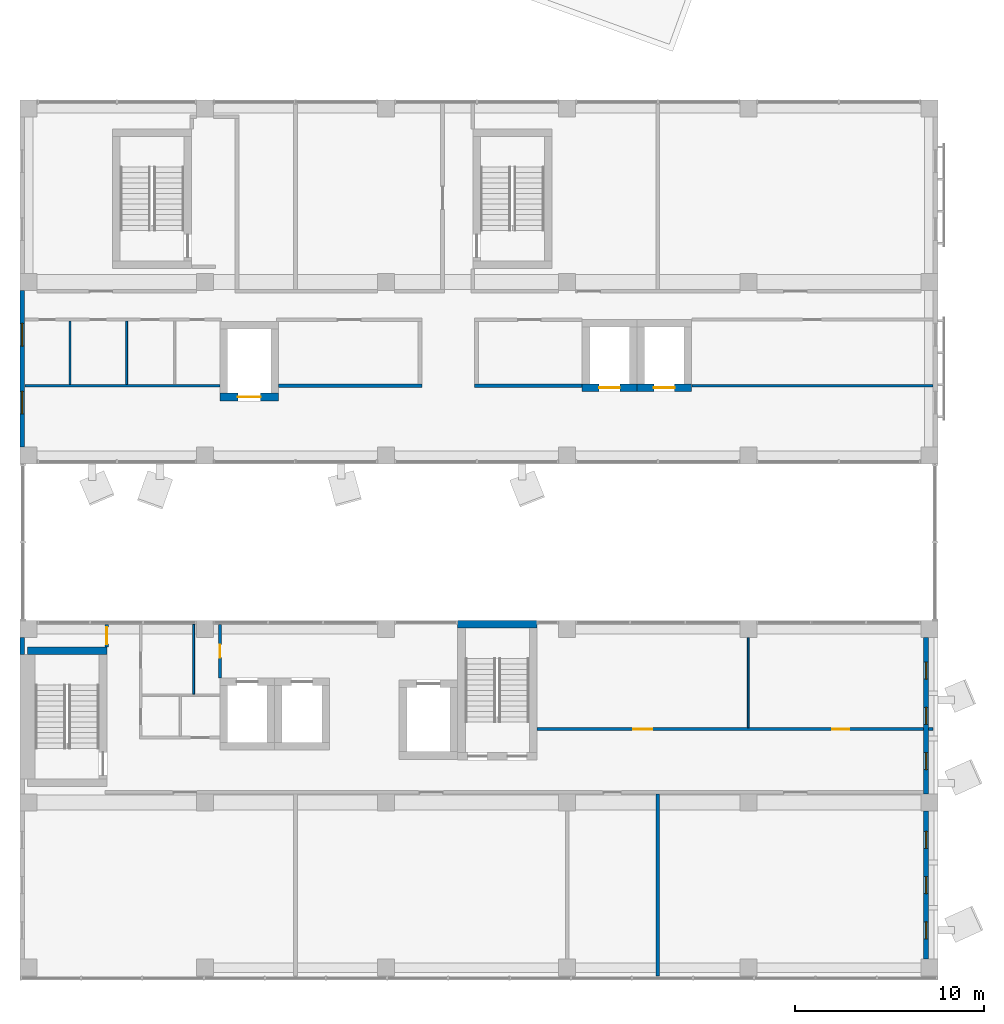
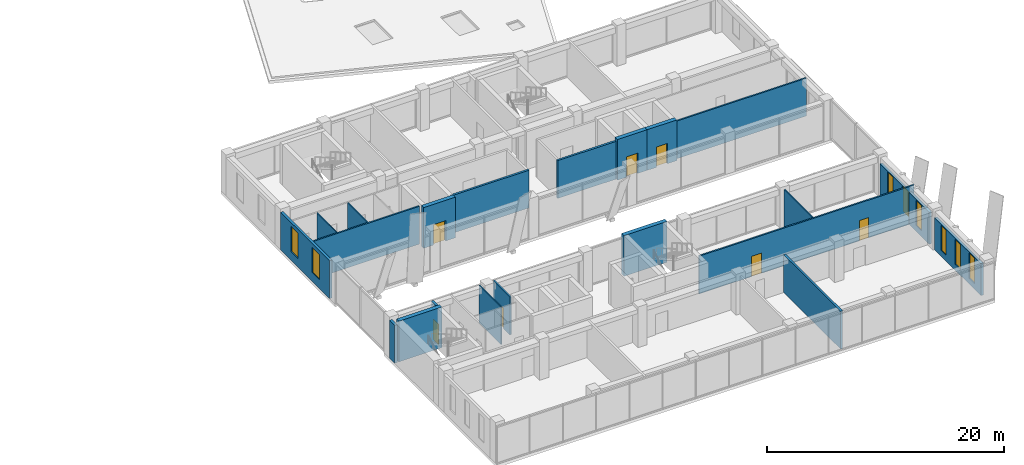
# One storey, part 27 of 36: 21 walls, 8 windows, 7 doors, 15 openings.
"""IFC4 building model written with IfcOpenShell, lengths in metres."""

import ifcopenshell
import ifcopenshell.guid

model = None  # the IFC model being written
_history = None  # IfcOwnerHistory: only IFC2X3 demands one
_inside = {}  # id of a spatial element -> (the spatial element, [elements in it])
_under = {}  # id of a project, library or spatial element -> (it, [spatial elements below it])
_declared = {}  # id of a project -> (the project, [libraries it declares])
_typed = {}  # id of a type object -> (the type object, [elements of that type])
_made_of = {}  # id of a material, layer set ... -> (it, [elements and type objects made of it])


def new_model(schema):
    """Start an empty IFC model of exactly this schema.

    Asked for "IFC4X3", IfcOpenShell would pick the latest addendum, in which some entities
    have other attributes; the version numbers below select the first issue.
    IFC2X3 requires an IfcOwnerHistory on every rooted entity: one is made here for all.
    """
    global model, _history
    if schema == "IFC4X3":
        model = ifcopenshell.file(schema_version=(4, 3, 0, 0))
    else:
        model = ifcopenshell.file(schema=schema)
    _inside.clear()
    _under.clear()
    _declared.clear()
    _typed.clear()
    _made_of.clear()
    _history = None
    if model.schema == "IFC2X3":
        org = make("IfcOrganization", Name="unknown")
        user = make(
            "IfcPersonAndOrganization",
            ThePerson=make("IfcPerson", FamilyName="unknown"),
            TheOrganization=org,
        )
        app = make(
            "IfcApplication",
            ApplicationDeveloper=org,
            Version="unknown",
            ApplicationFullName="unknown",
            ApplicationIdentifier="unknown",
        )
        _history = make(
            "IfcOwnerHistory",
            OwningUser=user,
            OwningApplication=app,
            ChangeAction="ADDED",
            CreationDate=0,
        )
    return model


def make(cls, **values):
    """One entity of the class cls with the attributes given. An attribute that is None is left unset."""
    return model.create_entity(
        cls, **{name: value for name, value in values.items() if value is not None}
    )


def rooted(cls, **values):
    """An entity with a GlobalId (a new one), such as an element, a storey or a relation."""
    return make(cls, GlobalId=ifcopenshell.guid.new(), OwnerHistory=_history, **values)


def si_unit(unit_type, name, prefix=None):
    """IfcSIUnit, for example si_unit("LENGTHUNIT", "METRE", prefix="MILLI")."""
    return make("IfcSIUnit", UnitType=unit_type, Prefix=prefix, Name=name)


def assignment(units):
    """IfcUnitAssignment: the units of a project."""
    return None if units is None else make("IfcUnitAssignment", Units=units)


def point(xyz):
    """IfcCartesianPoint."""
    return None if xyz is None else make("IfcCartesianPoint", Coordinates=xyz)


def direction(xyz):
    """IfcDirection."""
    return None if xyz is None else make("IfcDirection", DirectionRatios=xyz)


def frame(location, z_axis=None, x_axis=None):
    """IfcAxis2Placement3D, a coordinate frame: its origin and axes. An axis left out is left unset."""
    return make(
        "IfcAxis2Placement3D",
        Location=point(location),
        Axis=direction(z_axis),
        RefDirection=direction(x_axis),
    )


def frame_2d(location, x_axis=None):
    """IfcAxis2Placement2D, a coordinate frame in the plane: its origin and x axis."""
    return make(
        "IfcAxis2Placement2D", Location=point(location), RefDirection=direction(x_axis)
    )


def origin():
    """The frame at (0, 0, 0) with its axes left unset."""
    return frame((0.0, 0.0, 0.0))


def place(relative_to, where):
    """IfcLocalPlacement: puts the frame where relative to a parent placement (None: the world)."""
    return make(
        "IfcLocalPlacement", PlacementRelTo=relative_to, RelativePlacement=where
    )


def context(
    kind, dimensions, precision=None, world=None, true_north=None, identifier=None
):
    """IfcGeometricRepresentationContext, for example the 3D "Model" context."""
    return make(
        "IfcGeometricRepresentationContext",
        ContextIdentifier=identifier,
        ContextType=kind,
        CoordinateSpaceDimension=dimensions,
        Precision=precision,
        WorldCoordinateSystem=world,
        TrueNorth=true_north,
    )


def subcontext(parent, identifier, kind, view, scale=None):
    """IfcGeometricRepresentationSubContext, for example "Body" below "Model"."""
    return make(
        "IfcGeometricRepresentationSubContext",
        ContextIdentifier=identifier,
        ContextType=kind,
        ParentContext=parent,
        TargetScale=scale,
        TargetView=view,
    )


def project(units=None, contexts=None):
    """IfcProject with its units and contexts."""
    return rooted(
        "IfcProject",
        Name="project",
        RepresentationContexts=contexts,
        UnitsInContext=assignment(units),
    )


def spatial(cls, under=None, at=None, **own):
    """A site, building, storey or space (cls), placed at a placement, below another one or the project."""
    s = rooted(cls, ObjectPlacement=at, **own)
    if under is not None:
        _under.setdefault(under.id(), (under, []))[1].append(s)
    return s


def profile(cls, at=None, kind="AREA", **sizes):
    """A parametric profile (cls). Its sizes go by their IFC names, for example OverallWidth=200.0."""
    return make(cls, ProfileType=kind, Position=at, **sizes)


def rectangle(**sizes):
    """IfcRectangleProfileDef."""
    return profile("IfcRectangleProfileDef", **sizes)


def extrude(swept, where, along, depth):
    """IfcExtrudedAreaSolid: the profile swept, set in the frame where, extruded along a direction by depth."""
    return make(
        "IfcExtrudedAreaSolid",
        SweptArea=swept,
        Position=where,
        ExtrudedDirection=direction(along),
        Depth=depth,
    )


def shape(context_of_items, identifier, shape_type, items):
    """IfcShapeRepresentation: the items that make up one representation, for example the "Body"."""
    return make(
        "IfcShapeRepresentation",
        ContextOfItems=context_of_items,
        RepresentationIdentifier=identifier,
        RepresentationType=shape_type,
        Items=items,
    )


def material(Name=None, Category=None):
    """IfcMaterial."""
    return make("IfcMaterial", Name=Name, Category=Category)


def layer(
    of_material, thickness, ventilated=None, Name=None, Category=None, Priority=None
):
    """IfcMaterialLayer: one layer of a wall or slab, of a material (None: an air gap)."""
    return make(
        "IfcMaterialLayer",
        Material=of_material,
        LayerThickness=thickness,
        IsVentilated=ventilated,
        Name=Name,
        Category=Category,
        Priority=Priority,
    )


def layer_set(layers, Name=None):
    """IfcMaterialLayerSet."""
    return make("IfcMaterialLayerSet", MaterialLayers=layers, LayerSetName=Name)


def layer_usage(for_layer_set, set_direction, sense, offset, extent=None):
    """IfcMaterialLayerSetUsage: how a layer set lies in its element."""
    return make(
        "IfcMaterialLayerSetUsage",
        ForLayerSet=for_layer_set,
        LayerSetDirection=set_direction,
        DirectionSense=sense,
        OffsetFromReferenceLine=offset,
        ReferenceExtent=extent,
    )


def made_of(thing, what):
    """Note that an element or type object is made of a material, layer set ...; save() writes the relation."""
    if what is not None:
        _made_of.setdefault(what.id(), (what, []))[1].append(thing)
    return thing


def type_object(cls, material=None, **own):
    """A type object (cls), such as IfcWallType, which elements share."""
    return made_of(rooted(cls, **own), material)


def element(
    cls,
    number,
    at=None,
    inside=None,
    cuts=None,
    type_object=None,
    material=None,
    context=None,
    identifier="Body",
    shape_type=None,
    held_by="IfcProductDefinitionShape",
    body=None,
    shapes=None,
    **own,
):
    """One element of the class cls, such as IfcWall. Its Tag is "e" and its number.

    at: its placement. inside: the storey or other place that contains it. cuts: it is an
    opening in that element (IfcRelVoidsElement). A single representation is given by context,
    identifier, shape_type and body (its items); several are given by shapes. held_by: the class
    of the entity that holds the representations. save() writes the other relations.
    """
    e = rooted(cls, Tag="e%d" % number, ObjectPlacement=at, **own)
    if body is not None:
        shapes = [shape(context, identifier, shape_type, body)]
    if shapes is not None:
        e.Representation = make(held_by, Representations=shapes)
    if inside is not None:
        _inside.setdefault(inside.id(), (inside, []))[1].append(e)
    if cuts is not None:
        rooted(
            "IfcRelVoidsElement", RelatingBuildingElement=cuts, RelatedOpeningElement=e
        )
    if type_object is not None:
        _typed.setdefault(type_object.id(), (type_object, []))[1].append(e)
    return made_of(e, material)


def fill(opening, filler):
    """IfcRelFillsElement: the door or window that sits in an opening."""
    return rooted(
        "IfcRelFillsElement",
        RelatingOpeningElement=opening,
        RelatedBuildingElement=filler,
    )


def aggregate(whole, parts):
    """IfcRelAggregates: a whole, such as a stair, and the parts it consists of."""
    return rooted("IfcRelAggregates", RelatingObject=whole, RelatedObjects=parts)


def save(model, path):
    """Write the relations noted so far, then the file.

    IfcRelAggregates (storeys below a building ...), IfcRelContainedInSpatialStructure (elements
    in a storey), IfcRelDefinesByType, IfcRelAssociatesMaterial and IfcRelDeclares: one each for
    every whole, place, type object, material and project.
    """
    for whole, parts in _under.values():
        aggregate(whole, parts)
    for where, things in _inside.values():
        rooted(
            "IfcRelContainedInSpatialStructure",
            RelatedElements=things,
            RelatingStructure=where,
        )
    for kind, things in _typed.values():
        rooted("IfcRelDefinesByType", RelatedObjects=things, RelatingType=kind)
    for what, things in _made_of.values():
        rooted("IfcRelAssociatesMaterial", RelatedObjects=things, RelatingMaterial=what)
    for by, libraries in _declared.values():
        rooted("IfcRelDeclares", RelatingContext=by, RelatedDefinitions=libraries)
    model.write(path)


model = new_model("IFC4")

# Units and contexts
model_context = context("Model", 3, precision=1e-05, world=origin(), true_north=direction((0.0, 1.0)))
body_context = subcontext(model_context, "Body", "Model", "MODEL_VIEW")
ifc_project = project(units=[si_unit("LENGTHUNIT", "METRE"), si_unit("AREAUNIT", "SQUARE_METRE"), si_unit("VOLUMEUNIT", "CUBIC_METRE"), si_unit("PLANEANGLEUNIT", "RADIAN"), si_unit("MASSUNIT", "GRAM", prefix="KILO")], contexts=[model_context])

# Site, building, storey
site_placement = place(None, origin())
site = spatial("IfcSite", under=ifc_project, at=site_placement, CompositionType="ELEMENT")
building_placement = place(site_placement, origin())
building = spatial("IfcBuilding", under=site, at=building_placement, Name="Nzadi Deep Aquarium and Research Tower", CompositionType="ELEMENT")
storey_placement = place(building_placement, frame((0.0, 0.0, 40.300048828125)))
storey = spatial("IfcBuildingStorey", under=building, at=storey_placement, Name="L07", CompositionType="ELEMENT", Elevation=40.300048828125)

# Wall, openings, windows
ifc_material_1 = material(Name="Concrete C35/45", Category="concrete")
ifc_layer_1 = layer(ifc_material_1, 0.14990234375, Category="cladding")
ifc_material_2 = material(Name="Mineral wool insulation")
ifc_layer_2 = layer(ifc_material_2, 0.070068359375, Category="insulation")
ifc_material_3 = material(Name="Gypsum board lining")
ifc_layer_3 = layer(ifc_material_3, 0.030029296875, Category="lining")
ifc_layer_set_1 = layer_set([ifc_layer_1, ifc_layer_2, ifc_layer_3], Name="Concrete C35/45, Mineral wool insulation, Gypsum board lining")
ifc_layer_usage_1 = layer_usage(ifc_layer_set_1, "AXIS2", "POSITIVE", -0.125)
wall_type_1 = type_object("IfcWallType", Name="End wall board-formed concrete 250, 3.30 m high", PredefinedType="ELEMENTEDWALL", material=ifc_layer_set_1)
wall_1_placement = place(storey_placement, frame((47.824951171875, 9.64990234375, 0.0), z_axis=(0.0, 0.0, 1.0), x_axis=(0.0, 1.0, 0.0)))
wall_1 = element("IfcWall", 1, at=wall_1_placement, inside=storey, type_object=wall_type_1, material=ifc_layer_usage_1, Name="End wall blade A east L07", PredefinedType="ELEMENTEDWALL", context=body_context, shape_type="SweptSolid", body=[
    extrude(rectangle(XDim=8.300048828125, YDim=0.25, at=frame_2d((4.14990234375, 0.0))), origin(), (0.0, 0.0, 1.0), 3.300048828125),
])
opening_1_placement = place(wall_1_placement, frame((1.300048828125, 0.0, 0.60009765625)))
opening_1 = element("IfcOpeningElement", 2, at=opening_1_placement, cuts=wall_1, Name="Opening WN03", PredefinedType="OPENING", context=body_context, shape_type="SweptSolid", body=[
    extrude(rectangle(XDim=0.89990234375, YDim=2.60009765625, at=frame_2d((0.449951171875, 1.300048828125))), frame((0.0, 0.135009765625, 0.0), z_axis=(0.0, -1.0, 0.0), x_axis=(1.0, 0.0, 0.0)), (0.0, 0.0, 1.0), 0.27001953125),
])
opening_2_placement = place(wall_1_placement, frame((3.699951171875, 0.0, 0.60009765625)))
opening_2 = element("IfcOpeningElement", 3, at=opening_2_placement, cuts=wall_1, Name="Opening WN03", PredefinedType="OPENING", context=body_context, shape_type="SweptSolid", body=[
    extrude(rectangle(XDim=0.89990234375, YDim=2.60009765625, at=frame_2d((0.449951171875, 1.300048828125))), frame((0.0, 0.135009765625, 0.0), z_axis=(0.0, -1.0, 0.0), x_axis=(1.0, 0.0, 0.0)), (0.0, 0.0, 1.0), 0.27001953125),
])
opening_3_placement = place(wall_1_placement, frame((6.10009765625, 0.0, 0.60009765625)))
opening_3 = element("IfcOpeningElement", 4, at=opening_3_placement, cuts=wall_1, Name="Opening WN03", PredefinedType="OPENING", context=body_context, shape_type="SweptSolid", body=[
    extrude(rectangle(XDim=0.89990234375, YDim=2.60009765625, at=frame_2d((0.449951171875, 1.300048828125))), frame((0.0, 0.135009765625, 0.0), z_axis=(0.0, -1.0, 0.0), x_axis=(1.0, 0.0, 0.0)), (0.0, 0.0, 1.0), 0.27001953125),
])
ifc_material_4 = material(Name="Aluminium window, sage tint glazing", Category="aluminium")
window_type_1 = type_object("IfcWindowType", Name="Slot window 900x2600 sill 600", PartitioningType="SINGLE_PANEL", PredefinedType="WINDOW", material=ifc_material_4)
window_1_placement = place(opening_1_placement, origin())
window_1 = element("IfcWindow", 5, at=window_1_placement, inside=storey, type_object=window_type_1, Name="Slot window L07 AE", OverallHeight=2.60009765625, OverallWidth=0.89990234375, PartitioningType="SINGLE_PANEL", PredefinedType="WINDOW", context=body_context, shape_type="SweptSolid", body=[
    extrude(rectangle(XDim=0.89990234375, YDim=2.60009765625, at=frame_2d((0.449951171875, 1.300048828125))), frame((0.0, 0.030029296875, 0.0), z_axis=(0.0, -1.0, 0.0), x_axis=(1.0, 0.0, 0.0)), (0.0, 0.0, 1.0), 0.06005859375),
])
fill(opening_1, window_1)
window_2_placement = place(opening_2_placement, origin())
window_2 = element("IfcWindow", 6, at=window_2_placement, inside=storey, type_object=window_type_1, Name="Slot window L07 AE", OverallHeight=2.60009765625, OverallWidth=0.89990234375, PartitioningType="SINGLE_PANEL", PredefinedType="WINDOW", context=body_context, shape_type="SweptSolid", body=[
    extrude(rectangle(XDim=0.89990234375, YDim=2.60009765625, at=frame_2d((0.449951171875, 1.300048828125))), frame((0.0, 0.030029296875, 0.0), z_axis=(0.0, -1.0, 0.0), x_axis=(1.0, 0.0, 0.0)), (0.0, 0.0, 1.0), 0.06005859375),
])
fill(opening_2, window_2)
window_3_placement = place(opening_3_placement, origin())
window_3 = element("IfcWindow", 7, at=window_3_placement, inside=storey, type_object=window_type_1, Name="Slot window L07 AE", OverallHeight=2.60009765625, OverallWidth=0.89990234375, PartitioningType="SINGLE_PANEL", PredefinedType="WINDOW", context=body_context, shape_type="SweptSolid", body=[
    extrude(rectangle(XDim=0.89990234375, YDim=2.60009765625, at=frame_2d((0.449951171875, 1.300048828125))), frame((0.0, 0.030029296875, 0.0), z_axis=(0.0, -1.0, 0.0), x_axis=(1.0, 0.0, 0.0)), (0.0, 0.0, 1.0), 0.06005859375),
])
fill(opening_3, window_3)

# Wall
ifc_material_5 = material(Name="Graphite aluminium shingle", Category="aluminium")
ifc_layer_4 = layer(ifc_material_5, 0.050048828125, Category="cladding")
ifc_layer_5 = layer(ifc_material_1, 0.10009765625, Category="cladding")
ifc_layer_6 = layer(ifc_material_2, 0.070068359375, Category="insulation")
ifc_layer_7 = layer(ifc_material_3, 0.030029296875, Category="lining")
ifc_layer_set_2 = layer_set([ifc_layer_4, ifc_layer_5, ifc_layer_6, ifc_layer_7], Name="Graphite aluminium shingle, Concrete C35/45, Mineral wool insulation, Gypsum board lining")
ifc_layer_usage_2 = layer_usage(ifc_layer_set_2, "AXIS2", "POSITIVE", -0.125)
wall_type_2 = type_object("IfcWallType", Name="End wall shingle over board-formed concrete 250", PredefinedType="ELEMENTEDWALL", material=ifc_layer_set_2)
wall_2_placement = place(storey_placement, frame((-0.074462890625, 17.949951171875, 0.0), z_axis=(0.0, 0.0, 1.0), x_axis=(0.0, -1.0, 0.0)))
element("IfcWall", 8, at=wall_2_placement, inside=storey, type_object=wall_type_2, material=ifc_layer_usage_2, Name="End wall blade A west L07", PredefinedType="ELEMENTEDWALL", context=body_context, shape_type="SweptSolid", body=[
    extrude(rectangle(XDim=0.89990234375, YDim=0.25, at=frame_2d((0.449951171875, 0.0))), origin(), (0.0, 0.0, 1.0), 3.89990234375),
])

# Wall, openings, windows
ifc_layer_usage_3 = layer_usage(ifc_layer_set_2, "AXIS2", "POSITIVE", -0.125)
wall_3_placement = place(storey_placement, frame((-0.074462890625, 36.35009765625, 0.0), z_axis=(0.0, 0.0, 1.0), x_axis=(0.0, -1.0, 0.0)))
wall_3 = element("IfcWall", 9, at=wall_3_placement, inside=storey, type_object=wall_type_2, material=ifc_layer_usage_3, Name="End wall blade B west L07", PredefinedType="ELEMENTEDWALL", context=body_context, shape_type="SweptSolid", body=[
    extrude(rectangle(XDim=8.300048828125, YDim=0.25, at=frame_2d((4.14990234375, 0.0))), origin(), (0.0, 0.0, 1.0), 3.89990234375),
])
opening_4_placement = place(wall_3_placement, frame((5.35009765625, 0.0, 0.89990234375)))
opening_4 = element("IfcOpeningElement", 10, at=opening_4_placement, cuts=wall_3, Name="Opening WN04", PredefinedType="OPENING", context=body_context, shape_type="SweptSolid", body=[
    extrude(rectangle(XDim=1.199951171875, YDim=2.60009765625, at=frame_2d((0.60009765625, 1.300048828125))), frame((0.0, 0.135009765625, 0.0), z_axis=(0.0, -1.0, 0.0), x_axis=(1.0, 0.0, 0.0)), (0.0, 0.0, 1.0), 0.27001953125),
])
opening_5_placement = place(wall_3_placement, frame((1.75, 0.0, 0.89990234375)))
opening_5 = element("IfcOpeningElement", 11, at=opening_5_placement, cuts=wall_3, Name="Opening WN04", PredefinedType="OPENING", context=body_context, shape_type="SweptSolid", body=[
    extrude(rectangle(XDim=1.199951171875, YDim=2.60009765625, at=frame_2d((0.60009765625, 1.300048828125))), frame((0.0, 0.135009765625, 0.0), z_axis=(0.0, -1.0, 0.0), x_axis=(1.0, 0.0, 0.0)), (0.0, 0.0, 1.0), 0.27001953125),
])
ifc_material_6 = material(Name="Aluminium window, sage tint glazing", Category="aluminium")
window_type_2 = type_object("IfcWindowType", Name="Slot window 1200x2600 sill 900", PartitioningType="SINGLE_PANEL", PredefinedType="WINDOW", material=ifc_material_6)
window_4_placement = place(opening_4_placement, origin())
window_4 = element("IfcWindow", 12, at=window_4_placement, inside=storey, type_object=window_type_2, Name="Slot window L07 BW", OverallHeight=2.60009765625, OverallWidth=1.199951171875, PartitioningType="SINGLE_PANEL", PredefinedType="WINDOW", context=body_context, shape_type="SweptSolid", body=[
    extrude(rectangle(XDim=1.199951171875, YDim=2.60009765625, at=frame_2d((0.60009765625, 1.300048828125))), frame((0.0, 0.030029296875, 0.0), z_axis=(0.0, -1.0, 0.0), x_axis=(1.0, 0.0, 0.0)), (0.0, 0.0, 1.0), 0.06005859375),
])
fill(opening_4, window_4)
window_5_placement = place(opening_5_placement, origin())
window_5 = element("IfcWindow", 13, at=window_5_placement, inside=storey, type_object=window_type_2, Name="Slot window L07 BW", OverallHeight=2.60009765625, OverallWidth=1.199951171875, PartitioningType="SINGLE_PANEL", PredefinedType="WINDOW", context=body_context, shape_type="SweptSolid", body=[
    extrude(rectangle(XDim=1.199951171875, YDim=2.60009765625, at=frame_2d((0.60009765625, 1.300048828125))), frame((0.0, 0.030029296875, 0.0), z_axis=(0.0, -1.0, 0.0), x_axis=(1.0, 0.0, 0.0)), (0.0, 0.0, 1.0), 0.06005859375),
])
fill(opening_5, window_5)

ifc_layer_8 = layer(ifc_material_5, 0.050048828125, Category="cladding")
ifc_layer_9 = layer(ifc_material_1, 0.10009765625, Category="cladding")
ifc_layer_10 = layer(ifc_material_2, 0.070068359375, Category="insulation")
ifc_layer_11 = layer(ifc_material_3, 0.030029296875, Category="lining")
ifc_layer_set_3 = layer_set([ifc_layer_8, ifc_layer_9, ifc_layer_10, ifc_layer_11], Name="Graphite aluminium shingle, Concrete C35/45, Mineral wool insulation, Gypsum board lining")
ifc_layer_usage_4 = layer_usage(ifc_layer_set_3, "AXIS2", "POSITIVE", -0.125)
wall_type_3 = type_object("IfcWallType", Name="End wall shingle over board-formed concrete 250, 3.30 m high", PredefinedType="ELEMENTEDWALL", material=ifc_layer_set_3)
wall_4_placement = place(storey_placement, frame((47.824951171875, 0.89990234375, 0.0), z_axis=(0.0, 0.0, 1.0), x_axis=(0.0, 1.0, 0.0)))
wall_4 = element("IfcWall", 14, at=wall_4_placement, inside=storey, type_object=wall_type_3, material=ifc_layer_usage_4, Name="End wall blade A east L07", PredefinedType="ELEMENTEDWALL", context=body_context, shape_type="SweptSolid", body=[
    extrude(rectangle(XDim=7.85009765625, YDim=0.25, at=frame_2d((3.925048828125, 0.0))), origin(), (0.0, 0.0, 1.0), 3.300048828125),
])
opening_6_placement = place(wall_4_placement, frame((1.074951171875, 0.0, 0.60009765625)))
opening_6 = element("IfcOpeningElement", 15, at=opening_6_placement, cuts=wall_4, Name="Opening WN03", PredefinedType="OPENING", context=body_context, shape_type="SweptSolid", body=[
    extrude(rectangle(XDim=0.89990234375, YDim=2.60009765625, at=frame_2d((0.449951171875, 1.300048828125))), frame((0.0, 0.135009765625, 0.0), z_axis=(0.0, -1.0, 0.0), x_axis=(1.0, 0.0, 0.0)), (0.0, 0.0, 1.0), 0.27001953125),
])
opening_7_placement = place(wall_4_placement, frame((3.47509765625, 0.0, 0.60009765625)))
opening_7 = element("IfcOpeningElement", 16, at=opening_7_placement, cuts=wall_4, Name="Opening WN03", PredefinedType="OPENING", context=body_context, shape_type="SweptSolid", body=[
    extrude(rectangle(XDim=0.89990234375, YDim=2.60009765625, at=frame_2d((0.449951171875, 1.300048828125))), frame((0.0, 0.135009765625, 0.0), z_axis=(0.0, -1.0, 0.0), x_axis=(1.0, 0.0, 0.0)), (0.0, 0.0, 1.0), 0.27001953125),
])
opening_8_placement = place(wall_4_placement, frame((5.875, 0.0, 0.60009765625)))
opening_8 = element("IfcOpeningElement", 17, at=opening_8_placement, cuts=wall_4, Name="Opening WN03", PredefinedType="OPENING", context=body_context, shape_type="SweptSolid", body=[
    extrude(rectangle(XDim=0.89990234375, YDim=2.60009765625, at=frame_2d((0.449951171875, 1.300048828125))), frame((0.0, 0.135009765625, 0.0), z_axis=(0.0, -1.0, 0.0), x_axis=(1.0, 0.0, 0.0)), (0.0, 0.0, 1.0), 0.27001953125),
])
window_6_placement = place(opening_6_placement, origin())
window_6 = element("IfcWindow", 18, at=window_6_placement, inside=storey, type_object=window_type_1, Name="Slot window L07 AE", OverallHeight=2.60009765625, OverallWidth=0.89990234375, PartitioningType="SINGLE_PANEL", PredefinedType="WINDOW", context=body_context, shape_type="SweptSolid", body=[
    extrude(rectangle(XDim=0.89990234375, YDim=2.60009765625, at=frame_2d((0.449951171875, 1.300048828125))), frame((0.0, 0.030029296875, 0.0), z_axis=(0.0, -1.0, 0.0), x_axis=(1.0, 0.0, 0.0)), (0.0, 0.0, 1.0), 0.06005859375),
])
fill(opening_6, window_6)
window_7_placement = place(opening_7_placement, origin())
window_7 = element("IfcWindow", 19, at=window_7_placement, inside=storey, type_object=window_type_1, Name="Slot window L07 AE", OverallHeight=2.60009765625, OverallWidth=0.89990234375, PartitioningType="SINGLE_PANEL", PredefinedType="WINDOW", context=body_context, shape_type="SweptSolid", body=[
    extrude(rectangle(XDim=0.89990234375, YDim=2.60009765625, at=frame_2d((0.449951171875, 1.300048828125))), frame((0.0, 0.030029296875, 0.0), z_axis=(0.0, -1.0, 0.0), x_axis=(1.0, 0.0, 0.0)), (0.0, 0.0, 1.0), 0.06005859375),
])
fill(opening_7, window_7)
window_8_placement = place(opening_8_placement, origin())
window_8 = element("IfcWindow", 20, at=window_8_placement, inside=storey, type_object=window_type_1, Name="Slot window L07 AE", OverallHeight=2.60009765625, OverallWidth=0.89990234375, PartitioningType="SINGLE_PANEL", PredefinedType="WINDOW", context=body_context, shape_type="SweptSolid", body=[
    extrude(rectangle(XDim=0.89990234375, YDim=2.60009765625, at=frame_2d((0.449951171875, 1.300048828125))), frame((0.0, 0.030029296875, 0.0), z_axis=(0.0, -1.0, 0.0), x_axis=(1.0, 0.0, 0.0)), (0.0, 0.0, 1.0), 0.06005859375),
])
fill(opening_8, window_8)

# Walls
ifc_material_7 = material(Name="Blockwork masonry", Category="masonry")
ifc_layer_12 = layer(ifc_material_7, 0.10009765625)
ifc_layer_set_4 = layer_set([ifc_layer_12], Name="Blockwork masonry")
wall_type_4 = type_object("IfcWallType", Name="Partition 100 EI 30", PredefinedType="PARTITIONING", material=ifc_layer_set_4)
for number, where, z_axis, x_axis, name in (
    (21, (2.449951171875, 31.375, 0.0), (0.0, 0.0, 1.0), (0.0, 1.0, 0.0), "W-Z1-L07-P004"),
    (22, (5.449951171875, 31.375, 0.0), (0.0, 0.0, 1.0), (0.0, 1.0, 0.0), "W-Z1-L07-P007"),
):
    element("IfcWall", number, at=place(storey_placement, frame(where, z_axis=z_axis, x_axis=x_axis)), inside=storey, type_object=wall_type_4, Name=name, PredefinedType="PARTITIONING", context=body_context, shape_type="SweptSolid", body=[
        extrude(rectangle(XDim=3.35009765625, YDim=0.10009765625, at=frame_2d((1.675048828125, 0.0))), origin(), (0.0, 0.0, 1.0), 3.89990234375),
    ])
wall_5_placement = place(storey_placement, frame((9.0, 14.949951171875, 0.0), z_axis=(0.0, 0.0, 1.0), x_axis=(0.0, 1.0, 0.0)))
element("IfcWall", 23, at=wall_5_placement, inside=storey, type_object=wall_type_4, Name="W-Z1-L07-P016", PredefinedType="PARTITIONING", context=body_context, shape_type="SweptSolid", body=[
    extrude(rectangle(XDim=3.694091796875, YDim=0.10009765625, at=frame_2d((1.84716796875, 0.0))), origin(), (0.0, 0.0, 1.0), 3.89990234375),
])
wall_6_placement = place(storey_placement, frame((38.39990234375, 13.175048828125, 0.0), z_axis=(0.0, 0.0, 1.0), x_axis=(0.0, 1.0, 0.0)))
element("IfcWall", 24, at=wall_6_placement, inside=storey, type_object=wall_type_4, Name="W-Z1-L07-P041", PredefinedType="PARTITIONING", context=body_context, shape_type="SweptSolid", body=[
    extrude(rectangle(XDim=4.77490234375, YDim=0.10009765625, at=frame_2d((2.387451171875, 0.0))), origin(), (0.0, 0.0, 1.0), 3.89990234375),
])
ifc_material_8 = material(Name="Blockwork masonry", Category="masonry")
ifc_layer_13 = layer(ifc_material_8, 0.14990234375)
ifc_layer_set_5 = layer_set([ifc_layer_13], Name="Blockwork masonry")
wall_type_5 = type_object("IfcWallType", Name="Partition 150 EI 60", PredefinedType="PARTITIONING", material=ifc_layer_set_5)
wall_7_placement = place(storey_placement, frame((0.055908203125, 31.300048828125, 0.0), z_axis=(0.0, 0.0, 1.0), x_axis=(1.0, 0.0, 0.0)))
element("IfcWall", 25, at=wall_7_placement, inside=storey, type_object=wall_type_5, Name="W-Z1-L07-P001", PredefinedType="PARTITIONING", context=body_context, shape_type="SweptSolid", body=[
    extrude(rectangle(XDim=10.338134765625, YDim=0.14990234375, at=frame_2d((5.1689453125, 0.0))), origin(), (0.0, 0.0, 1.0), 3.89990234375),
])

# Wall, opening, door
wall_8_placement = place(storey_placement, frame((10.39990234375, 15.805908203125, 0.0), z_axis=(0.0, 0.0, 1.0), x_axis=(0.0, 1.0, 0.0)))
wall_8 = element("IfcWall", 26, at=wall_8_placement, inside=storey, type_object=wall_type_5, Name="W-Z1-L07-P018", PredefinedType="PARTITIONING", context=body_context, shape_type="SweptSolid", body=[
    extrude(rectangle(XDim=2.838134765625, YDim=0.14990234375, at=frame_2d((1.4189453125, 0.0))), origin(), (0.0, 0.0, 1.0), 3.89990234375),
])
opening_9_placement = place(wall_8_placement, frame((1.073974609375, 0.0, 0.0)))
opening_9 = element("IfcOpeningElement", 27, at=opening_9_placement, cuts=wall_8, Name="Opening D081005", PredefinedType="OPENING", context=body_context, shape_type="SweptSolid", body=[
    extrude(rectangle(XDim=0.699951171875, YDim=2.10009765625, at=frame_2d((0.35009765625, 1.050048828125))), frame((0.0, 0.0849609375, 0.0), z_axis=(0.0, -1.0, 0.0), x_axis=(1.0, 0.0, 0.0)), (0.0, 0.0, 1.0), 0.169921875),
])
ifc_material_9 = material(Name="Fire-rated steel door", Category="steel")
ifc_layer_14 = layer(ifc_material_9, 0.050048828125)
ifc_layer_set_6 = layer_set([ifc_layer_14], Name="Fire-rated steel door")
door_type_1 = type_object("IfcDoorType", Name="Door 700x2100 EI 60 single", OperationType="SINGLE_SWING_LEFT", PredefinedType="DOOR", material=ifc_layer_set_6)
door_1_placement = place(opening_9_placement, origin())
door_1 = element("IfcDoor", 28, at=door_1_placement, inside=storey, type_object=door_type_1, Name="D081005", OperationType="SINGLE_SWING_LEFT", OverallHeight=2.10009765625, OverallWidth=0.699951171875, PredefinedType="DOOR", context=body_context, shape_type="SweptSolid", body=[
    extrude(rectangle(XDim=0.699951171875, YDim=2.10009765625, at=frame_2d((0.35009765625, 1.050048828125))), frame((0.0, 0.02490234375, 0.0), z_axis=(0.0, -1.0, 0.0), x_axis=(1.0, 0.0, 0.0)), (0.0, 0.0, 1.0), 0.050048828125),
])
fill(opening_9, door_1)

# Wall, openings, doors
wall_9_placement = place(storey_placement, frame((27.2060546875, 13.10009765625, 0.0), z_axis=(0.0, 0.0, 1.0), x_axis=(1.0, 0.0, 0.0)))
wall_9 = element("IfcWall", 29, at=wall_9_placement, inside=storey, type_object=wall_type_5, Name="W-Z1-L07-P034", PredefinedType="PARTITIONING", context=body_context, shape_type="SweptSolid", body=[
    extrude(rectangle(XDim=20.988037109375, YDim=0.14990234375, at=frame_2d((10.494140625, 0.0))), origin(), (0.0, 0.0, 1.0), 3.89990234375),
])
opening_10_placement = place(wall_9_placement, frame((5.093994140625, 0.0, 0.0)))
opening_10 = element("IfcOpeningElement", 30, at=opening_10_placement, cuts=wall_9, Name="Opening D081010", PredefinedType="OPENING", context=body_context, shape_type="SweptSolid", body=[
    extrude(rectangle(XDim=1.0, YDim=2.10009765625, at=frame_2d((0.5, 1.050048828125))), frame((0.0, 0.0849609375, 0.0), z_axis=(0.0, -1.0, 0.0), x_axis=(1.0, 0.0, 0.0)), (0.0, 0.0, 1.0), 0.169921875),
])
opening_11_placement = place(wall_9_placement, frame((15.64404296875, 0.0, 0.0)))
opening_11 = element("IfcOpeningElement", 31, at=opening_11_placement, cuts=wall_9, Name="Opening D081011", PredefinedType="OPENING", context=body_context, shape_type="SweptSolid", body=[
    extrude(rectangle(XDim=0.89990234375, YDim=2.10009765625, at=frame_2d((0.449951171875, 1.050048828125))), frame((0.0, 0.0849609375, 0.0), z_axis=(0.0, -1.0, 0.0), x_axis=(1.0, 0.0, 0.0)), (0.0, 0.0, 1.0), 0.169921875),
])
ifc_material_10 = material(Name="Fire-rated steel door", Category="steel")
ifc_layer_15 = layer(ifc_material_10, 0.050048828125)
ifc_layer_set_7 = layer_set([ifc_layer_15], Name="Fire-rated steel door")
door_type_2 = type_object("IfcDoorType", Name="Door 1000x2100 EI 60 single", OperationType="SINGLE_SWING_LEFT", PredefinedType="DOOR", material=ifc_layer_set_7)
door_2_placement = place(opening_10_placement, origin())
door_2 = element("IfcDoor", 32, at=door_2_placement, inside=storey, type_object=door_type_2, Name="D081010", OperationType="SINGLE_SWING_LEFT", OverallHeight=2.10009765625, OverallWidth=1.0, PredefinedType="DOOR", context=body_context, shape_type="SweptSolid", body=[
    extrude(rectangle(XDim=1.0, YDim=2.10009765625, at=frame_2d((0.5, 1.050048828125))), frame((0.0, 0.02490234375, 0.0), z_axis=(0.0, -1.0, 0.0), x_axis=(1.0, 0.0, 0.0)), (0.0, 0.0, 1.0), 0.050048828125),
])
fill(opening_10, door_2)
ifc_material_11 = material(Name="Fire-rated steel door", Category="steel")
ifc_layer_16 = layer(ifc_material_11, 0.050048828125)
ifc_layer_set_8 = layer_set([ifc_layer_16], Name="Fire-rated steel door")
door_type_3 = type_object("IfcDoorType", Name="Door 900x2100 EI 60 single", OperationType="SINGLE_SWING_LEFT", PredefinedType="DOOR", material=ifc_layer_set_8)
door_3_placement = place(opening_11_placement, origin())
door_3 = element("IfcDoor", 33, at=door_3_placement, inside=storey, type_object=door_type_3, Name="D081011", OperationType="SINGLE_SWING_RIGHT", OverallHeight=2.10009765625, OverallWidth=0.89990234375, PredefinedType="DOOR", context=body_context, shape_type="SweptSolid", body=[
    extrude(rectangle(XDim=0.89990234375, YDim=2.10009765625, at=frame_2d((0.449951171875, 1.050048828125))), frame((0.0, 0.02490234375, 0.0), z_axis=(0.0, -1.0, 0.0), x_axis=(1.0, 0.0, 0.0)), (0.0, 0.0, 1.0), 0.050048828125),
])
fill(opening_11, door_3)

# Wall
wall_10_placement = place(storey_placement, frame((35.406005859375, 31.300048828125, 0.0), z_axis=(0.0, 0.0, 1.0), x_axis=(1.0, 0.0, 0.0)))
element("IfcWall", 34, at=wall_10_placement, inside=storey, type_object=wall_type_5, Name="W-Z1-L07-P039", PredefinedType="PARTITIONING", context=body_context, shape_type="SweptSolid", body=[
    extrude(rectangle(XDim=12.7880859375, YDim=0.14990234375, at=frame_2d((6.39404296875, 0.0))), origin(), (0.0, 0.0, 1.0), 3.89990234375),
])

# Wall, opening, door
ifc_material_12 = material(Name="Blockwork masonry", Category="masonry")
ifc_layer_17 = layer(ifc_material_12, 0.199951171875)
ifc_layer_set_9 = layer_set([ifc_layer_17], Name="Blockwork masonry")
wall_type_6 = type_object("IfcWallType", Name="Partition 200 EI 120", PredefinedType="PARTITIONING", material=ifc_layer_set_9)
wall_11_placement = place(storey_placement, frame((4.39990234375, 17.4560546875, 0.0), z_axis=(0.0, 0.0, 1.0), x_axis=(0.0, 1.0, 0.0)))
wall_11 = element("IfcWall", 35, at=wall_11_placement, inside=storey, type_object=wall_type_6, Name="W-Z1-L07-P006", PredefinedType="PARTITIONING", context=body_context, shape_type="SweptSolid", body=[
    extrude(rectangle(XDim=1.18798828125, YDim=0.199951171875, at=frame_2d((0.593994140625, 0.0))), origin(), (0.0, 0.0, 1.0), 3.89990234375),
])
opening_12_placement = place(wall_11_placement, frame((0.14404296875, 0.0, 0.0)))
opening_12 = element("IfcOpeningElement", 36, at=opening_12_placement, cuts=wall_11, Name="Opening D081001", PredefinedType="OPENING", context=body_context, shape_type="SweptSolid", body=[
    extrude(rectangle(XDim=0.89990234375, YDim=2.10009765625, at=frame_2d((0.449951171875, 1.050048828125))), frame((0.0, 0.110107421875, 0.0), z_axis=(0.0, -1.0, 0.0), x_axis=(1.0, 0.0, 0.0)), (0.0, 0.0, 1.0), 0.22021484375),
])
ifc_material_13 = material(Name="Fire-rated steel door", Category="steel")
ifc_layer_18 = layer(ifc_material_13, 0.050048828125)
ifc_layer_set_10 = layer_set([ifc_layer_18], Name="Fire-rated steel door")
door_type_4 = type_object("IfcDoorType", Name="Door 900x2100 EI 120 single", OperationType="SINGLE_SWING_LEFT", PredefinedType="DOOR", material=ifc_layer_set_10)
door_4_placement = place(opening_12_placement, origin())
door_4 = element("IfcDoor", 37, at=door_4_placement, inside=storey, type_object=door_type_4, Name="D081001", OperationType="SINGLE_SWING_LEFT", OverallHeight=2.10009765625, OverallWidth=0.89990234375, PredefinedType="DOOR", context=body_context, shape_type="SweptSolid", body=[
    extrude(rectangle(XDim=0.89990234375, YDim=2.10009765625, at=frame_2d((0.449951171875, 1.050048828125))), frame((0.0, 0.02490234375, 0.0), z_axis=(0.0, -1.0, 0.0), x_axis=(1.0, 0.0, 0.0)), (0.0, 0.0, 1.0), 0.050048828125),
])
fill(opening_12, door_4)

# Walls
wall_12_placement = place(storey_placement, frame((13.506103515625, 31.300048828125, 0.0), z_axis=(0.0, 0.0, 1.0), x_axis=(1.0, 0.0, 0.0)))
element("IfcWall", 38, at=wall_12_placement, inside=storey, type_object=wall_type_6, Name="W-Z1-L07-P022", PredefinedType="PARTITIONING", context=body_context, shape_type="SweptSolid", body=[
    extrude(rectangle(XDim=7.593994140625, YDim=0.199951171875, at=frame_2d((3.796875, 0.0))), origin(), (0.0, 0.0, 1.0), 3.89990234375),
])
wall_13_placement = place(storey_placement, frame((23.89990234375, 31.300048828125, 0.0), z_axis=(0.0, 0.0, 1.0), x_axis=(1.0, 0.0, 0.0)))
element("IfcWall", 39, at=wall_13_placement, inside=storey, type_object=wall_type_6, Name="W-Z1-L07-P031", PredefinedType="PARTITIONING", context=body_context, shape_type="SweptSolid", body=[
    extrude(rectangle(XDim=5.694091796875, YDim=0.199951171875, at=frame_2d((2.84716796875, 0.0))), origin(), (0.0, 0.0, 1.0), 3.89990234375),
])
wall_14_placement = place(storey_placement, frame((33.60009765625, 0.006103515625, 0.0), z_axis=(0.0, 0.0, 1.0), x_axis=(0.0, 1.0, 0.0)))
element("IfcWall", 40, at=wall_14_placement, inside=storey, type_object=wall_type_6, Name="W-Z1-L07-P037", PredefinedType="PARTITIONING", context=body_context, shape_type="SweptSolid", body=[
    extrude(rectangle(XDim=9.643798828125, YDim=0.199951171875, at=frame_2d((4.82177734375, 0.0))), origin(), (0.0, 0.0, 1.0), 3.89990234375),
])
ifc_material_14 = material(Name="Concrete C35/45", Category="concrete")
ifc_layer_19 = layer(ifc_material_14, 0.39990234375)
ifc_layer_set_11 = layer_set([ifc_layer_19], Name="Concrete C35/45")
wall_type_7 = type_object("IfcWallType", Name="RC core wall 400", PredefinedType="SHEAR", material=ifc_layer_set_11)
for number, where, z_axis, x_axis, name in (
    (41, (0.199951171875, 17.25, 0.0), (0.0, 0.0, 1.0), (1.0, 0.0, 0.0), "W-CORE-ST-Z1-SW-L07-N"),
    (42, (23.0, 18.64990234375, 0.0), (0.0, 0.0, 1.0), (1.0, 0.0, 0.0), "W-CORE-ST-Z1-SE-L07-N"),
):
    element("IfcWall", number, at=place(storey_placement, frame(where, z_axis=z_axis, x_axis=x_axis)), inside=storey, type_object=wall_type_7, Name=name, PredefinedType="SHEAR", context=body_context, shape_type="SweptSolid", body=[
        extrude(rectangle(XDim=4.199951171875, YDim=0.39990234375, at=frame_2d((2.10009765625, 0.0))), origin(), (0.0, 0.0, 1.0), 4.199951171875),
    ])

# Wall, opening, door
wall_15_placement = place(storey_placement, frame((10.39990234375, 30.699951171875, 0.0), z_axis=(0.0, 0.0, 1.0), x_axis=(1.0, 0.0, 0.0)))
wall_15 = element("IfcWall", 43, at=wall_15_placement, inside=storey, type_object=wall_type_7, Name="W-CORE-FL2-L07-S", PredefinedType="SHEAR", context=body_context, shape_type="SweptSolid", body=[
    extrude(rectangle(XDim=3.10009765625, YDim=0.39990234375, at=frame_2d((1.550048828125, 0.0))), origin(), (0.0, 0.0, 1.0), 4.199951171875),
])
opening_13_placement = place(wall_15_placement, frame((0.949951171875, 0.0, 0.0)))
opening_13 = element("IfcOpeningElement", 44, at=opening_13_placement, cuts=wall_15, Name="Opening LD-FL2-L07", PredefinedType="OPENING", context=body_context, shape_type="SweptSolid", body=[
    extrude(rectangle(XDim=1.199951171875, YDim=2.10009765625, at=frame_2d((0.60009765625, 1.050048828125))), frame((0.0, 0.2099609375, 0.0), z_axis=(0.0, -1.0, 0.0), x_axis=(1.0, 0.0, 0.0)), (0.0, 0.0, 1.0), 0.419921875),
])
ifc_material_15 = material(Name="Stainless steel 1.4301", Category="steel")
door_type_5 = type_object("IfcDoorType", Name="LANDING DOOR 1200x2100", OperationType="DOUBLE_DOOR_SLIDING", PredefinedType="DOOR", material=ifc_material_15)
door_5_placement = place(opening_13_placement, origin())
door_5 = element("IfcDoor", 45, at=door_5_placement, inside=storey, type_object=door_type_5, Name="Landing door FL2 L07", OperationType="DOUBLE_DOOR_SLIDING", OverallHeight=2.10009765625, OverallWidth=1.199951171875, PredefinedType="DOOR", context=body_context, shape_type="SweptSolid", body=[
    extrude(rectangle(XDim=1.199951171875, YDim=2.10009765625, at=frame_2d((0.60009765625, 1.050048828125))), frame((0.0, 0.02490234375, 0.0), z_axis=(0.0, -1.0, 0.0), x_axis=(1.0, 0.0, 0.0)), (0.0, 0.0, 1.0), 0.050048828125),
])
fill(opening_13, door_5)

wall_16_placement = place(storey_placement, frame((29.60009765625, 31.199951171875, 0.0), z_axis=(0.0, 0.0, 1.0), x_axis=(1.0, 0.0, 0.0)))
wall_16 = element("IfcWall", 46, at=wall_16_placement, inside=storey, type_object=wall_type_7, Name="W-CORE-TL3-L07-S", PredefinedType="SHEAR", context=body_context, shape_type="SweptSolid", body=[
    extrude(rectangle(XDim=2.89990234375, YDim=0.39990234375, at=frame_2d((1.449951171875, 0.0))), origin(), (0.0, 0.0, 1.0), 4.199951171875),
])
opening_14_placement = place(wall_16_placement, frame((0.89990234375, 0.0, 0.0)))
opening_14 = element("IfcOpeningElement", 47, at=opening_14_placement, cuts=wall_16, Name="Opening LD-TL3-L07", PredefinedType="OPENING", context=body_context, shape_type="SweptSolid", body=[
    extrude(rectangle(XDim=1.10009765625, YDim=2.10009765625, at=frame_2d((0.550048828125, 1.050048828125))), frame((0.0, 0.2099609375, 0.0), z_axis=(0.0, -1.0, 0.0), x_axis=(1.0, 0.0, 0.0)), (0.0, 0.0, 1.0), 0.419921875),
])
ifc_material_16 = material(Name="Stainless steel 1.4301", Category="steel")
door_type_6 = type_object("IfcDoorType", Name="LANDING DOOR 1100x2100", OperationType="DOUBLE_DOOR_SLIDING", PredefinedType="DOOR", material=ifc_material_16)
door_6_placement = place(opening_14_placement, origin())
door_6 = element("IfcDoor", 48, at=door_6_placement, inside=storey, type_object=door_type_6, Name="Landing door TL3 L07", OperationType="DOUBLE_DOOR_SLIDING", OverallHeight=2.10009765625, OverallWidth=1.10009765625, PredefinedType="DOOR", context=body_context, shape_type="SweptSolid", body=[
    extrude(rectangle(XDim=1.10009765625, YDim=2.10009765625, at=frame_2d((0.550048828125, 1.050048828125))), frame((0.0, 0.02490234375, 0.0), z_axis=(0.0, -1.0, 0.0), x_axis=(1.0, 0.0, 0.0)), (0.0, 0.0, 1.0), 0.050048828125),
])
fill(opening_14, door_6)

wall_17_placement = place(storey_placement, frame((32.5, 31.199951171875, 0.0), z_axis=(0.0, 0.0, 1.0), x_axis=(1.0, 0.0, 0.0)))
wall_17 = element("IfcWall", 49, at=wall_17_placement, inside=storey, type_object=wall_type_7, Name="W-CORE-TL4-L07-S", PredefinedType="SHEAR", context=body_context, shape_type="SweptSolid", body=[
    extrude(rectangle(XDim=2.89990234375, YDim=0.39990234375, at=frame_2d((1.449951171875, 0.0))), origin(), (0.0, 0.0, 1.0), 4.199951171875),
])
opening_15_placement = place(wall_17_placement, frame((0.89990234375, 0.0, 0.0)))
opening_15 = element("IfcOpeningElement", 50, at=opening_15_placement, cuts=wall_17, Name="Opening LD-TL4-L07", PredefinedType="OPENING", context=body_context, shape_type="SweptSolid", body=[
    extrude(rectangle(XDim=1.10009765625, YDim=2.10009765625, at=frame_2d((0.550048828125, 1.050048828125))), frame((0.0, 0.2099609375, 0.0), z_axis=(0.0, -1.0, 0.0), x_axis=(1.0, 0.0, 0.0)), (0.0, 0.0, 1.0), 0.419921875),
])
door_7_placement = place(opening_15_placement, origin())
door_7 = element("IfcDoor", 51, at=door_7_placement, inside=storey, type_object=door_type_6, Name="Landing door TL4 L07", OperationType="DOUBLE_DOOR_SLIDING", OverallHeight=2.10009765625, OverallWidth=1.10009765625, PredefinedType="DOOR", context=body_context, shape_type="SweptSolid", body=[
    extrude(rectangle(XDim=1.10009765625, YDim=2.10009765625, at=frame_2d((0.550048828125, 1.050048828125))), frame((0.0, 0.02490234375, 0.0), z_axis=(0.0, -1.0, 0.0), x_axis=(1.0, 0.0, 0.0)), (0.0, 0.0, 1.0), 0.050048828125),
])
fill(opening_15, door_7)

save(model, "model.ifc")
